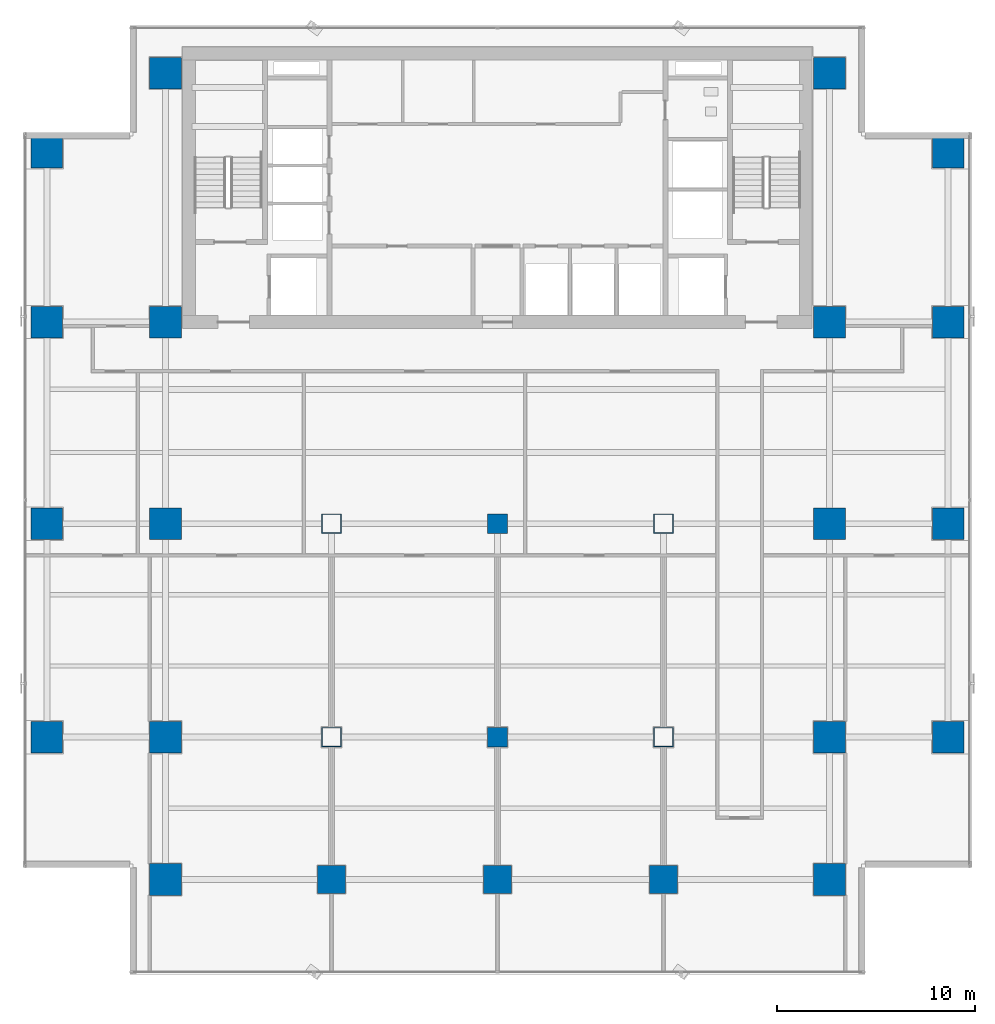
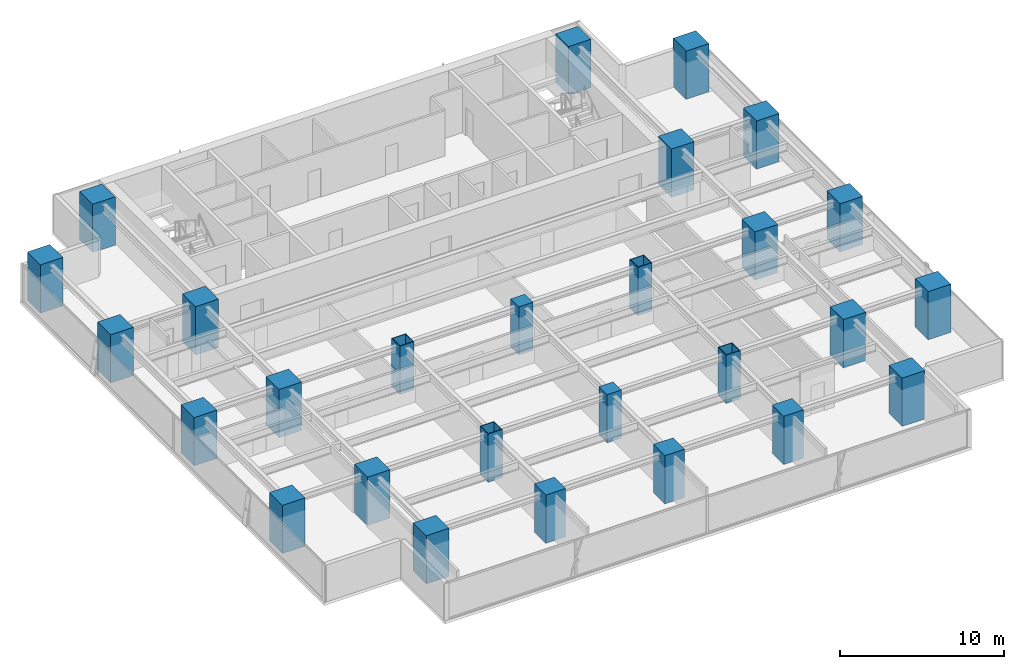
# One storey, part 1 of 28: 27 columns.
"""IFC4 building model written with IfcOpenShell, lengths in metres."""

from ifc_helpers import new_model, si_unit, direction, frame, origin, origin_2d, place, context, subcontext, project, spatial, rectangle, hollow_rectangle, extrude, source, transform, mapped, material, material_profile, profile_set, type_object, element, save


model = new_model("IFC4")

# Units and contexts
model_context = context("Model", 3, precision=1e-05, world=origin(), true_north=direction((0.0, 1.0)))
body_context = subcontext(model_context, "Body", "Model", "MODEL_VIEW")
ifc_project = project(units=[si_unit("LENGTHUNIT", "METRE"), si_unit("AREAUNIT", "SQUARE_METRE"), si_unit("VOLUMEUNIT", "CUBIC_METRE"), si_unit("PLANEANGLEUNIT", "RADIAN"), si_unit("MASSUNIT", "GRAM", prefix="KILO")], contexts=[model_context])

# Site, building, storey
site_placement = place(None, origin())
site = spatial("IfcSite", under=ifc_project, at=site_placement, CompositionType="ELEMENT")
building_placement = place(site_placement, origin())
building = spatial("IfcBuilding", under=site, at=building_placement, Name="Sumidabori Civic Tower", CompositionType="ELEMENT")
storey_placement = place(building_placement, frame((0.0, 0.0, 153.199951171875)))
storey = spatial("IfcBuildingStorey", under=building, at=storey_placement, Name="L39", CompositionType="ELEMENT", Elevation=153.199951171875)

# Columns
ifc_material_1 = material(Name="Concrete C60/75", Category="concrete")
ifc_material_profile_1 = material_profile(ifc_material_1, rectangle(XDim=1.60009765625, YDim=1.60009765625, at=origin_2d()), Name="RC 1600x1600")
ifc_profile_set_1 = profile_set([ifc_material_profile_1], Name="Concrete C60/75")
column_type_1 = type_object("IfcColumnType", Name="CL-MEGA-1600", PredefinedType="COLUMN", material=ifc_profile_set_1)
shared_shape_1 = source(origin(), body_context, "Body", "SweptSolid", [
    extrude(rectangle(XDim=1.60009765625, YDim=1.60009765625, at=origin_2d()), origin(), (0.0, 0.0, 1.0), 3.60009765625),
])
for number, where, z_axis, x_axis, name in (
    (1, (-16.800048828125, -18.0, 0.0), (0.0, 0.0, 1.0), (1.0, 0.0, 0.0), "Column MC-W16-Y18S L39"),
    (2, (-16.800048828125, -10.800048828125, 0.0), (0.0, 0.0, 1.0), (1.0, 0.0, 0.0), "Column MC-W16-Y11S L39"),
    (3, (-16.800048828125, 0.0, 0.0), (0.0, 0.0, 1.0), (1.0, 0.0, 0.0), "Column MC-W16-Y00 L39"),
    (4, (-16.800048828125, 10.199951171875, 0.0), (0.0, 0.0, 1.0), (1.0, 0.0, 0.0), "Column MC-W16-Y10N L39"),
    (5, (-16.800048828125, 22.800048828125, 0.0), (0.0, 0.0, 1.0), (1.0, 0.0, 0.0), "Column MC-W16-Y23N L39"),
    (6, (16.800048828125, -18.0, 0.0), (0.0, 0.0, 1.0), (1.0, 0.0, 0.0), "Column MC-E16-Y18S L39"),
    (7, (16.800048828125, -10.800048828125, 0.0), (0.0, 0.0, 1.0), (1.0, 0.0, 0.0), "Column MC-E16-Y11S L39"),
    (8, (16.800048828125, 0.0, 0.0), (0.0, 0.0, 1.0), (1.0, 0.0, 0.0), "Column MC-E16-Y00 L39"),
    (9, (16.800048828125, 10.199951171875, 0.0), (0.0, 0.0, 1.0), (1.0, 0.0, 0.0), "Column MC-E16-Y10N L39"),
    (10, (16.800048828125, 22.800048828125, 0.0), (0.0, 0.0, 1.0), (1.0, 0.0, 0.0), "Column MC-E16-Y23N L39"),
    (11, (-22.800048828125, -10.800048828125, 0.0), (0.0, 0.0, 1.0), (1.0, 0.0, 0.0), "Column MC-W23-Y11S L39"),
    (12, (-22.800048828125, 0.0, 0.0), (0.0, 0.0, 1.0), (1.0, 0.0, 0.0), "Column MC-W23-Y00 L39"),
    (13, (-22.800048828125, 10.199951171875, 0.0), (0.0, 0.0, 1.0), (1.0, 0.0, 0.0), "Column MC-W23-Y10N L39"),
    (14, (-22.800048828125, 18.800048828125, 0.0), (0.0, 0.0, 1.0), (1.0, 0.0, 0.0), "Column MC-W23-Y19N L39"),
    (15, (22.800048828125, -10.800048828125, 0.0), (0.0, 0.0, 1.0), (1.0, 0.0, 0.0), "Column MC-E23-Y11S L39"),
    (16, (22.800048828125, 0.0, 0.0), (0.0, 0.0, 1.0), (1.0, 0.0, 0.0), "Column MC-E23-Y00 L39"),
    (17, (22.800048828125, 10.199951171875, 0.0), (0.0, 0.0, 1.0), (1.0, 0.0, 0.0), "Column MC-E23-Y10N L39"),
    (18, (22.800048828125, 18.800048828125, 0.0), (0.0, 0.0, 1.0), (1.0, 0.0, 0.0), "Column MC-E23-Y19N L39"),
):
    element("IfcColumn", number, at=place(storey_placement, frame(where, z_axis=z_axis, x_axis=x_axis)), inside=storey, type_object=column_type_1, Name=name, PredefinedType="COLUMN", context=body_context, shape_type="MappedRepresentation", body=[
        mapped(shared_shape_1, transform((0.0, 0.0, 0.0), x_axis=(1.0, 0.0, 0.0), y_axis=(0.0, 1.0, 0.0), z_axis=(0.0, 0.0, 1.0), scale=1.0)),
    ])
ifc_material_2 = material(Name="Steel SM570", Category="steel")
ifc_material_profile_2 = material_profile(ifc_material_2, hollow_rectangle(XDim=1.0, YDim=1.0, WallThickness=0.044921875, at=origin_2d()), Name="SHS 1000x1000x45")
ifc_profile_set_2 = profile_set([ifc_material_profile_2], Name="Steel SM570")
column_type_2 = type_object("IfcColumnType", Name="CL-PORTAL-SHS1000", PredefinedType="COLUMN", material=ifc_profile_set_2)
shared_shape_2 = source(origin(), body_context, "Body", "SweptSolid", [
    extrude(hollow_rectangle(XDim=1.0, YDim=1.0, WallThickness=0.044921875, at=origin_2d()), origin(), (0.0, 0.0, 1.0), 3.60009765625),
])
for number, where, z_axis, x_axis, name in (
    (19, (-8.39990234375, 0.0, 0.0), (0.0, 0.0, 1.0), (1.0, 0.0, 0.0), "Column MC-W08-Y00 L39"),
    (20, (-8.39990234375, -10.800048828125, 0.0), (0.0, 0.0, 1.0), (1.0, 0.0, 0.0), "Column MC-W08-Y11S L39"),
    (21, (8.39990234375, 0.0, 0.0), (0.0, 0.0, 1.0), (1.0, 0.0, 0.0), "Column MC-E08-Y00 L39"),
    (22, (8.39990234375, -10.800048828125, 0.0), (0.0, 0.0, 1.0), (1.0, 0.0, 0.0), "Column MC-E08-Y11S L39"),
):
    element("IfcColumn", number, at=place(storey_placement, frame(where, z_axis=z_axis, x_axis=x_axis)), inside=storey, type_object=column_type_2, Name=name, PredefinedType="COLUMN", context=body_context, shape_type="MappedRepresentation", body=[
        mapped(shared_shape_2, transform((0.0, 0.0, 0.0), x_axis=(1.0, 0.0, 0.0), y_axis=(0.0, 1.0, 0.0), z_axis=(0.0, 0.0, 1.0), scale=1.0)),
    ])
ifc_material_profile_3 = material_profile(ifc_material_1, rectangle(XDim=1.39990234375, YDim=1.39990234375, at=origin_2d()), Name="RC 1400x1400")
ifc_profile_set_3 = profile_set([ifc_material_profile_3], Name="Concrete C60/75")
column_type_3 = type_object("IfcColumnType", Name="CL-MEGA-1400", PredefinedType="COLUMN", material=ifc_profile_set_3)
shared_shape_3 = source(origin(), body_context, "Body", "SweptSolid", [
    extrude(rectangle(XDim=1.39990234375, YDim=1.39990234375, at=origin_2d()), origin(), (0.0, 0.0, 1.0), 3.60009765625),
])
for number, where, z_axis, x_axis, name in (
    (23, (-8.39990234375, -18.0, 0.0), (0.0, 0.0, 1.0), (1.0, 0.0, 0.0), "Column MC-W08-Y18S L39"),
    (24, (8.39990234375, -18.0, 0.0), (0.0, 0.0, 1.0), (1.0, 0.0, 0.0), "Column MC-E08-Y18S L39"),
    (25, (0.0, -18.0, 0.0), (0.0, 0.0, 1.0), (1.0, 0.0, 0.0), "Column MC-C00-Y18S L39"),
):
    element("IfcColumn", number, at=place(storey_placement, frame(where, z_axis=z_axis, x_axis=x_axis)), inside=storey, type_object=column_type_3, Name=name, PredefinedType="COLUMN", context=body_context, shape_type="MappedRepresentation", body=[
        mapped(shared_shape_3, transform((0.0, 0.0, 0.0), x_axis=(1.0, 0.0, 0.0), y_axis=(0.0, 1.0, 0.0), z_axis=(0.0, 0.0, 1.0), scale=1.0)),
    ])
ifc_material_3 = material(Name="Concrete C50/60", Category="concrete")
ifc_material_profile_4 = material_profile(ifc_material_3, rectangle(XDim=1.0, YDim=1.0, at=origin_2d()), Name="RC 1000x1000")
ifc_profile_set_4 = profile_set([ifc_material_profile_4], Name="Concrete C50/60")
column_type_4 = type_object("IfcColumnType", Name="CL-INT-1000", PredefinedType="COLUMN", material=ifc_profile_set_4)
shared_shape_4 = source(origin(), body_context, "Body", "SweptSolid", [
    extrude(rectangle(XDim=1.0, YDim=1.0, at=origin_2d()), origin(), (0.0, 0.0, 1.0), 3.60009765625),
])
for number, where, z_axis, x_axis, name in (
    (26, (0.0, -10.800048828125, 0.0), (0.0, 0.0, 1.0), (1.0, 0.0, 0.0), "Column MC-C00-Y11S L39"),
    (27, (0.0, 0.0, 0.0), (0.0, 0.0, 1.0), (1.0, 0.0, 0.0), "Column MC-C00-Y00 L39"),
):
    element("IfcColumn", number, at=place(storey_placement, frame(where, z_axis=z_axis, x_axis=x_axis)), inside=storey, type_object=column_type_4, Name=name, PredefinedType="COLUMN", context=body_context, shape_type="MappedRepresentation", body=[
        mapped(shared_shape_4, transform((0.0, 0.0, 0.0), x_axis=(1.0, 0.0, 0.0), y_axis=(0.0, 1.0, 0.0), z_axis=(0.0, 0.0, 1.0), scale=1.0)),
    ])

save(model, "model.ifc")
